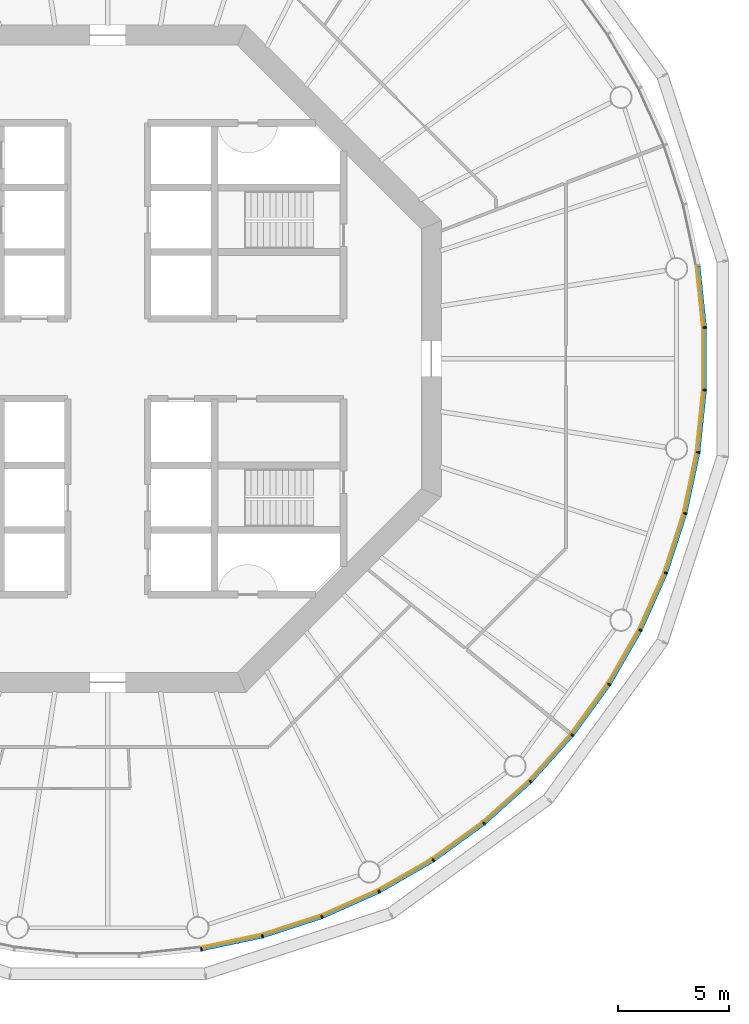
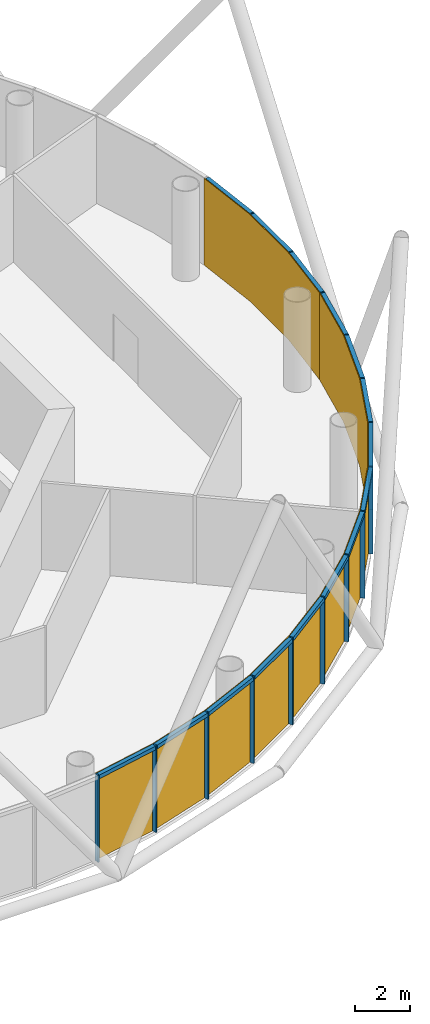
# One storey, part 8 of 12: 30 members, 5 curtain walls.
"""IFC4 building model written with IfcOpenShell, lengths in metres."""

import ifcopenshell
import ifcopenshell.guid

model = None  # the IFC model being written
_history = None  # IfcOwnerHistory: only IFC2X3 demands one
_inside = {}  # id of a spatial element -> (the spatial element, [elements in it])
_under = {}  # id of a project, library or spatial element -> (it, [spatial elements below it])
_declared = {}  # id of a project -> (the project, [libraries it declares])
_typed = {}  # id of a type object -> (the type object, [elements of that type])
_made_of = {}  # id of a material, layer set ... -> (it, [elements and type objects made of it])


def new_model(schema):
    """Start an empty IFC model of exactly this schema.

    Asked for "IFC4X3", IfcOpenShell would pick the latest addendum, in which some entities
    have other attributes; the version numbers below select the first issue.
    IFC2X3 requires an IfcOwnerHistory on every rooted entity: one is made here for all.
    """
    global model, _history
    if schema == "IFC4X3":
        model = ifcopenshell.file(schema_version=(4, 3, 0, 0))
    else:
        model = ifcopenshell.file(schema=schema)
    _inside.clear()
    _under.clear()
    _declared.clear()
    _typed.clear()
    _made_of.clear()
    _history = None
    if model.schema == "IFC2X3":
        org = make("IfcOrganization", Name="unknown")
        user = make(
            "IfcPersonAndOrganization",
            ThePerson=make("IfcPerson", FamilyName="unknown"),
            TheOrganization=org,
        )
        app = make(
            "IfcApplication",
            ApplicationDeveloper=org,
            Version="unknown",
            ApplicationFullName="unknown",
            ApplicationIdentifier="unknown",
        )
        _history = make(
            "IfcOwnerHistory",
            OwningUser=user,
            OwningApplication=app,
            ChangeAction="ADDED",
            CreationDate=0,
        )
    return model


def make(cls, **values):
    """One entity of the class cls with the attributes given. An attribute that is None is left unset."""
    return model.create_entity(
        cls, **{name: value for name, value in values.items() if value is not None}
    )


def rooted(cls, **values):
    """An entity with a GlobalId (a new one), such as an element, a storey or a relation."""
    return make(cls, GlobalId=ifcopenshell.guid.new(), OwnerHistory=_history, **values)


def si_unit(unit_type, name, prefix=None):
    """IfcSIUnit, for example si_unit("LENGTHUNIT", "METRE", prefix="MILLI")."""
    return make("IfcSIUnit", UnitType=unit_type, Prefix=prefix, Name=name)


def assignment(units):
    """IfcUnitAssignment: the units of a project."""
    return None if units is None else make("IfcUnitAssignment", Units=units)


def point(xyz):
    """IfcCartesianPoint."""
    return None if xyz is None else make("IfcCartesianPoint", Coordinates=xyz)


def direction(xyz):
    """IfcDirection."""
    return None if xyz is None else make("IfcDirection", DirectionRatios=xyz)


def frame(location, z_axis=None, x_axis=None):
    """IfcAxis2Placement3D, a coordinate frame: its origin and axes. An axis left out is left unset."""
    return make(
        "IfcAxis2Placement3D",
        Location=point(location),
        Axis=direction(z_axis),
        RefDirection=direction(x_axis),
    )


def frame_2d(location, x_axis=None):
    """IfcAxis2Placement2D, a coordinate frame in the plane: its origin and x axis."""
    return make(
        "IfcAxis2Placement2D", Location=point(location), RefDirection=direction(x_axis)
    )


def origin():
    """The frame at (0, 0, 0) with its axes left unset."""
    return frame((0.0, 0.0, 0.0))


def origin_2d():
    """The frame at (0, 0) in the plane with its x axis left unset."""
    return frame_2d((0.0, 0.0))


def place(relative_to, where):
    """IfcLocalPlacement: puts the frame where relative to a parent placement (None: the world)."""
    return make(
        "IfcLocalPlacement", PlacementRelTo=relative_to, RelativePlacement=where
    )


def context(
    kind, dimensions, precision=None, world=None, true_north=None, identifier=None
):
    """IfcGeometricRepresentationContext, for example the 3D "Model" context."""
    return make(
        "IfcGeometricRepresentationContext",
        ContextIdentifier=identifier,
        ContextType=kind,
        CoordinateSpaceDimension=dimensions,
        Precision=precision,
        WorldCoordinateSystem=world,
        TrueNorth=true_north,
    )


def subcontext(parent, identifier, kind, view, scale=None):
    """IfcGeometricRepresentationSubContext, for example "Body" below "Model"."""
    return make(
        "IfcGeometricRepresentationSubContext",
        ContextIdentifier=identifier,
        ContextType=kind,
        ParentContext=parent,
        TargetScale=scale,
        TargetView=view,
    )


def project(units=None, contexts=None):
    """IfcProject with its units and contexts."""
    return rooted(
        "IfcProject",
        Name="project",
        RepresentationContexts=contexts,
        UnitsInContext=assignment(units),
    )


def spatial(cls, under=None, at=None, **own):
    """A site, building, storey or space (cls), placed at a placement, below another one or the project."""
    s = rooted(cls, ObjectPlacement=at, **own)
    if under is not None:
        _under.setdefault(under.id(), (under, []))[1].append(s)
    return s


def polyline(points):
    """IfcPolyline through the points."""
    return make("IfcPolyline", Points=[point(p) for p in points])


def profile(cls, at=None, kind="AREA", **sizes):
    """A parametric profile (cls). Its sizes go by their IFC names, for example OverallWidth=200.0."""
    return make(cls, ProfileType=kind, Position=at, **sizes)


def rectangle(**sizes):
    """IfcRectangleProfileDef."""
    return profile("IfcRectangleProfileDef", **sizes)


def outline(outer, holes=None, kind="AREA"):
    """IfcArbitraryClosedProfileDef: a profile drawn as a closed curve; with holes, ...WithVoids."""
    if holes is None:
        return make("IfcArbitraryClosedProfileDef", ProfileType=kind, OuterCurve=outer)
    return make(
        "IfcArbitraryProfileDefWithVoids",
        ProfileType=kind,
        OuterCurve=outer,
        InnerCurves=holes,
    )


def extrude(swept, where, along, depth):
    """IfcExtrudedAreaSolid: the profile swept, set in the frame where, extruded along a direction by depth."""
    return make(
        "IfcExtrudedAreaSolid",
        SweptArea=swept,
        Position=where,
        ExtrudedDirection=direction(along),
        Depth=depth,
    )


def shape(context_of_items, identifier, shape_type, items):
    """IfcShapeRepresentation: the items that make up one representation, for example the "Body"."""
    return make(
        "IfcShapeRepresentation",
        ContextOfItems=context_of_items,
        RepresentationIdentifier=identifier,
        RepresentationType=shape_type,
        Items=items,
    )


def material(Name=None, Category=None):
    """IfcMaterial."""
    return make("IfcMaterial", Name=Name, Category=Category)


def layer(
    of_material, thickness, ventilated=None, Name=None, Category=None, Priority=None
):
    """IfcMaterialLayer: one layer of a wall or slab, of a material (None: an air gap)."""
    return make(
        "IfcMaterialLayer",
        Material=of_material,
        LayerThickness=thickness,
        IsVentilated=ventilated,
        Name=Name,
        Category=Category,
        Priority=Priority,
    )


def layer_set(layers, Name=None):
    """IfcMaterialLayerSet."""
    return make("IfcMaterialLayerSet", MaterialLayers=layers, LayerSetName=Name)


def material_profile(
    of_material, cross_section, Name=None, Category=None, Priority=None
):
    """IfcMaterialProfile: a cross section and its material."""
    return make(
        "IfcMaterialProfile",
        Name=Name,
        Material=of_material,
        Profile=cross_section,
        Priority=Priority,
        Category=Category,
    )


def profile_set(profiles, Name=None, composite=None):
    """IfcMaterialProfileSet."""
    return make(
        "IfcMaterialProfileSet",
        Name=Name,
        MaterialProfiles=profiles,
        CompositeProfile=composite,
    )


def made_of(thing, what):
    """Note that an element or type object is made of a material, layer set ...; save() writes the relation."""
    if what is not None:
        _made_of.setdefault(what.id(), (what, []))[1].append(thing)
    return thing


def type_object(cls, material=None, **own):
    """A type object (cls), such as IfcWallType, which elements share."""
    return made_of(rooted(cls, **own), material)


def element(
    cls,
    number,
    at=None,
    inside=None,
    cuts=None,
    type_object=None,
    material=None,
    context=None,
    identifier="Body",
    shape_type=None,
    held_by="IfcProductDefinitionShape",
    body=None,
    shapes=None,
    **own,
):
    """One element of the class cls, such as IfcWall. Its Tag is "e" and its number.

    at: its placement. inside: the storey or other place that contains it. cuts: it is an
    opening in that element (IfcRelVoidsElement). A single representation is given by context,
    identifier, shape_type and body (its items); several are given by shapes. held_by: the class
    of the entity that holds the representations. save() writes the other relations.
    """
    e = rooted(cls, Tag="e%d" % number, ObjectPlacement=at, **own)
    if body is not None:
        shapes = [shape(context, identifier, shape_type, body)]
    if shapes is not None:
        e.Representation = make(held_by, Representations=shapes)
    if inside is not None:
        _inside.setdefault(inside.id(), (inside, []))[1].append(e)
    if cuts is not None:
        rooted(
            "IfcRelVoidsElement", RelatingBuildingElement=cuts, RelatedOpeningElement=e
        )
    if type_object is not None:
        _typed.setdefault(type_object.id(), (type_object, []))[1].append(e)
    return made_of(e, material)


def aggregate(whole, parts):
    """IfcRelAggregates: a whole, such as a stair, and the parts it consists of."""
    return rooted("IfcRelAggregates", RelatingObject=whole, RelatedObjects=parts)


def save(model, path):
    """Write the relations noted so far, then the file.

    IfcRelAggregates (storeys below a building ...), IfcRelContainedInSpatialStructure (elements
    in a storey), IfcRelDefinesByType, IfcRelAssociatesMaterial and IfcRelDeclares: one each for
    every whole, place, type object, material and project.
    """
    for whole, parts in _under.values():
        aggregate(whole, parts)
    for where, things in _inside.values():
        rooted(
            "IfcRelContainedInSpatialStructure",
            RelatedElements=things,
            RelatingStructure=where,
        )
    for kind, things in _typed.values():
        rooted("IfcRelDefinesByType", RelatedObjects=things, RelatingType=kind)
    for what, things in _made_of.values():
        rooted("IfcRelAssociatesMaterial", RelatedObjects=things, RelatingMaterial=what)
    for by, libraries in _declared.values():
        rooted("IfcRelDeclares", RelatingContext=by, RelatedDefinitions=libraries)
    model.write(path)


model = new_model("IFC4")

# Units and contexts
model_context = context("Model", 3, precision=1e-05, world=origin(), true_north=direction((0.0, 1.0)))
body_context = subcontext(model_context, "Body", "Model", "MODEL_VIEW")
ifc_project = project(units=[si_unit("LENGTHUNIT", "METRE"), si_unit("AREAUNIT", "SQUARE_METRE"), si_unit("VOLUMEUNIT", "CUBIC_METRE"), si_unit("PLANEANGLEUNIT", "RADIAN"), si_unit("MASSUNIT", "GRAM", prefix="KILO")], contexts=[model_context])

# Member
ifc_material_1 = material(Name="Anodised aluminium", Category="aluminium")
ifc_material_profile_1 = material_profile(ifc_material_1, rectangle(XDim=0.06005859375, YDim=0.169921875, at=origin_2d()), Name="Mullion 60 x 170 mm anodised aluminium")
ifc_profile_set_1 = profile_set([ifc_material_profile_1], Name="Anodised aluminium")
member_type_1 = type_object("IfcMemberType", Name="Mullion 60 x 170 mm anodised aluminium", PredefinedType="MULLION", material=ifc_profile_set_1)
site_placement = place(None, origin())
building_placement = place(site_placement, origin())
storey_placement = place(building_placement, frame((0.0, 0.0, 238.0)))
member_1_placement = place(storey_placement, frame((94.205810546875, 53.446044921875, 0.0), z_axis=(0.0, 0.0, 1.0), x_axis=(0.987688340595, 0.15643446504, 0.0)))
member_1 = element("IfcMember", 1, at=member_1_placement, type_object=member_type_1, Name="MULLION L54-45", PredefinedType="MULLION", context=body_context, shape_type="SweptSolid", body=[
    extrude(rectangle(XDim=0.06005859375, YDim=0.169921875, at=origin_2d()), origin(), (0.0, 0.0, 1.0), 3.85009765625),
])

member_2_placement = place(storey_placement, frame((96.958251953125, 54.031005859375, 0.0), z_axis=(0.0, 0.0, 1.0), x_axis=(0.965925826289, 0.258819045103, 0.0)))
member_2 = element("IfcMember", 2, at=member_2_placement, type_object=member_type_1, Name="MULLION L54-46", PredefinedType="MULLION", context=body_context, shape_type="SweptSolid", body=[
    extrude(rectangle(XDim=0.06005859375, YDim=0.169921875, at=origin_2d()), origin(), (0.0, 0.0, 1.0), 3.85009765625),
])

member_3_placement = place(storey_placement, frame((99.634765625, 54.900634765625, 0.0), z_axis=(0.0, 0.0, 1.0), x_axis=(0.933580426497, 0.358367949545, 0.0)))
member_3 = element("IfcMember", 3, at=member_3_placement, type_object=member_type_1, Name="MULLION L54-47", PredefinedType="MULLION", context=body_context, shape_type="SweptSolid", body=[
    extrude(rectangle(XDim=0.06005859375, YDim=0.169921875, at=origin_2d()), origin(), (0.0, 0.0, 1.0), 3.85009765625),
])

member_4_placement = place(storey_placement, frame((102.20556640625, 56.04541015625, 0.0), z_axis=(0.0, 0.0, 1.0), x_axis=(0.891006524188, 0.45399049974, 0.0)))
member_4 = element("IfcMember", 4, at=member_4_placement, type_object=member_type_1, Name="MULLION L54-48", PredefinedType="MULLION", context=body_context, shape_type="SweptSolid", body=[
    extrude(rectangle(XDim=0.06005859375, YDim=0.169921875, at=origin_2d()), origin(), (0.0, 0.0, 1.0), 3.85009765625),
])

member_5_placement = place(storey_placement, frame((104.642578125, 57.452392578125, 0.0), z_axis=(0.0, 0.0, 1.0), x_axis=(0.838670567945, 0.544639035015, 0.0)))
member_5 = element("IfcMember", 5, at=member_5_placement, type_object=member_type_1, Name="MULLION L54-49", PredefinedType="MULLION", context=body_context, shape_type="SweptSolid", body=[
    extrude(rectangle(XDim=0.06005859375, YDim=0.169921875, at=origin_2d()), origin(), (0.0, 0.0, 1.0), 3.85009765625),
])

member_6_placement = place(storey_placement, frame((106.919189453125, 59.1064453125, 0.0), z_axis=(0.0, 0.0, 1.0), x_axis=(0.777145961457, 0.62932039105, 0.0)))
member_6 = element("IfcMember", 6, at=member_6_placement, type_object=member_type_1, Name="MULLION L54-50", PredefinedType="MULLION", context=body_context, shape_type="SweptSolid", body=[
    extrude(rectangle(XDim=0.06005859375, YDim=0.169921875, at=origin_2d()), origin(), (0.0, 0.0, 1.0), 3.85009765625),
])

member_7_placement = place(storey_placement, frame((109.010498046875, 60.989501953125, 0.0), z_axis=(0.0, 0.0, 1.0), x_axis=(0.707106781187, 0.707106781187, 0.0)))
member_7 = element("IfcMember", 7, at=member_7_placement, type_object=member_type_1, Name="MULLION L54-51", PredefinedType="MULLION", context=body_context, shape_type="SweptSolid", body=[
    extrude(rectangle(XDim=0.06005859375, YDim=0.169921875, at=origin_2d()), origin(), (0.0, 0.0, 1.0), 3.85009765625),
])

member_8_placement = place(storey_placement, frame((110.8935546875, 63.080810546875, 0.0), z_axis=(0.0, 0.0, 1.0), x_axis=(0.62932039105, 0.777145961457, 0.0)))
member_8 = element("IfcMember", 8, at=member_8_placement, type_object=member_type_1, Name="MULLION L54-52", PredefinedType="MULLION", context=body_context, shape_type="SweptSolid", body=[
    extrude(rectangle(XDim=0.06005859375, YDim=0.169921875, at=origin_2d()), origin(), (0.0, 0.0, 1.0), 3.85009765625),
])

member_9_placement = place(storey_placement, frame((112.547607421875, 65.357421875, 0.0), z_axis=(0.0, 0.0, 1.0), x_axis=(0.544639035015, 0.838670567945, 0.0)))
member_9 = element("IfcMember", 9, at=member_9_placement, type_object=member_type_1, Name="MULLION L54-53", PredefinedType="MULLION", context=body_context, shape_type="SweptSolid", body=[
    extrude(rectangle(XDim=0.06005859375, YDim=0.169921875, at=origin_2d()), origin(), (0.0, 0.0, 1.0), 3.85009765625),
])

member_10_placement = place(storey_placement, frame((113.95458984375, 67.79443359375, 0.0), z_axis=(0.0, 0.0, 1.0), x_axis=(0.45399049974, 0.891006524188, 0.0)))
member_10 = element("IfcMember", 10, at=member_10_placement, type_object=member_type_1, Name="MULLION L54-54", PredefinedType="MULLION", context=body_context, shape_type="SweptSolid", body=[
    extrude(rectangle(XDim=0.06005859375, YDim=0.169921875, at=origin_2d()), origin(), (0.0, 0.0, 1.0), 3.85009765625),
])

member_11_placement = place(storey_placement, frame((115.099365234375, 70.365234375, 0.0), z_axis=(0.0, 0.0, 1.0), x_axis=(0.358367949545, 0.933580426497, 0.0)))
member_11 = element("IfcMember", 11, at=member_11_placement, type_object=member_type_1, Name="MULLION L54-55", PredefinedType="MULLION", context=body_context, shape_type="SweptSolid", body=[
    extrude(rectangle(XDim=0.06005859375, YDim=0.169921875, at=origin_2d()), origin(), (0.0, 0.0, 1.0), 3.85009765625),
])

member_12_placement = place(storey_placement, frame((115.968994140625, 73.041748046875, 0.0), z_axis=(0.0, 0.0, 1.0), x_axis=(0.258819045103, 0.965925826289, 0.0)))
member_12 = element("IfcMember", 12, at=member_12_placement, type_object=member_type_1, Name="MULLION L54-56", PredefinedType="MULLION", context=body_context, shape_type="SweptSolid", body=[
    extrude(rectangle(XDim=0.06005859375, YDim=0.169921875, at=origin_2d()), origin(), (0.0, 0.0, 1.0), 3.85009765625),
])

member_13_placement = place(storey_placement, frame((116.553955078125, 75.794189453125, 0.0), z_axis=(0.0, 0.0, 1.0), x_axis=(0.15643446504, 0.987688340595, 0.0)))
member_13 = element("IfcMember", 13, at=member_13_placement, type_object=member_type_1, Name="MULLION L54-57", PredefinedType="MULLION", context=body_context, shape_type="SweptSolid", body=[
    extrude(rectangle(XDim=0.06005859375, YDim=0.169921875, at=origin_2d()), origin(), (0.0, 0.0, 1.0), 3.85009765625),
])

member_14_placement = place(storey_placement, frame((116.84814453125, 78.593017578125, 0.0), z_axis=(0.0, 0.0, 1.0), x_axis=(0.052335956243, 0.998629534755, 0.0)))
member_14 = element("IfcMember", 14, at=member_14_placement, type_object=member_type_1, Name="MULLION L54-58", PredefinedType="MULLION", context=body_context, shape_type="SweptSolid", body=[
    extrude(rectangle(XDim=0.06005859375, YDim=0.169921875, at=origin_2d()), origin(), (0.0, 0.0, 1.0), 3.85009765625),
])

member_15_placement = place(storey_placement, frame((116.84814453125, 81.406982421875, 0.0), z_axis=(0.0, 0.0, 1.0), x_axis=(-0.052335956243, 0.998629534755, 0.0)))
member_15 = element("IfcMember", 15, at=member_15_placement, type_object=member_type_1, Name="MULLION L54-59", PredefinedType="MULLION", context=body_context, shape_type="SweptSolid", body=[
    extrude(rectangle(XDim=0.06005859375, YDim=0.169921875, at=origin_2d()), origin(), (0.0, 0.0, 1.0), 3.85009765625),
])

ifc_material_2 = material(Name="Anodised aluminium", Category="aluminium")
ifc_material_profile_2 = material_profile(ifc_material_2, rectangle(XDim=0.169921875, YDim=0.1650390625, at=origin_2d()), Name="Transom 165 x 170 mm anodised aluminium")
ifc_profile_set_2 = profile_set([ifc_material_profile_2], Name="Anodised aluminium")
member_type_2 = type_object("IfcMemberType", Name="Transom 165 x 170 mm anodised aluminium", PredefinedType="USERDEFINED", material=ifc_profile_set_2)
member_16_placement = place(storey_placement, frame((94.239501953125, 53.453125, 3.767578125), z_axis=(0.97814212115, 0.207937468562, 0.0), x_axis=(-0.207937468562, 0.97814212115, 0.0)))
member_16 = element("IfcMember", 16, at=member_16_placement, type_object=member_type_2, Name="TRANSOM L54-45", ObjectType="TRANSOM", PredefinedType="USERDEFINED", context=body_context, shape_type="SweptSolid", body=[
    extrude(rectangle(XDim=0.169921875, YDim=0.1650390625, at=origin_2d()), origin(), (0.0, 0.0, 1.0), 2.7451171875),
])

member_17_placement = place(storey_placement, frame((96.9912109375, 54.04150390625, 3.767578125), z_axis=(0.951048445774, 0.309041831781, 0.0), x_axis=(-0.309041831781, 0.951048445774, 0.0)))
member_17 = element("IfcMember", 17, at=member_17_placement, type_object=member_type_2, Name="TRANSOM L54-46", ObjectType="TRANSOM", PredefinedType="USERDEFINED", context=body_context, shape_type="SweptSolid", body=[
    extrude(rectangle(XDim=0.169921875, YDim=0.1650390625, at=origin_2d()), origin(), (0.0, 0.0, 1.0), 2.7451171875),
])

member_18_placement = place(storey_placement, frame((99.666259765625, 54.91455078125, 3.767578125), z_axis=(0.913525267704, 0.406781987391, 0.0), x_axis=(-0.406781987391, 0.913525267704, 0.0)))
member_18 = element("IfcMember", 18, at=member_18_placement, type_object=member_type_2, Name="TRANSOM L54-47", ObjectType="TRANSOM", PredefinedType="USERDEFINED", context=body_context, shape_type="SweptSolid", body=[
    extrude(rectangle(XDim=0.169921875, YDim=0.1650390625, at=origin_2d()), origin(), (0.0, 0.0, 1.0), 2.7451171875),
])

member_19_placement = place(storey_placement, frame((102.2353515625, 56.0625, 3.767578125), z_axis=(0.866034527326, 0.49998419723, 0.0), x_axis=(-0.49998419723, 0.866034527326, 0.0)))
member_19 = element("IfcMember", 19, at=member_19_placement, type_object=member_type_2, Name="TRANSOM L54-48", ObjectType="TRANSOM", PredefinedType="USERDEFINED", context=body_context, shape_type="SweptSolid", body=[
    extrude(rectangle(XDim=0.169921875, YDim=0.1650390625, at=origin_2d()), origin(), (0.0, 0.0, 1.0), 2.7451171875),
])

member_20_placement = place(storey_placement, frame((104.670654296875, 57.472412109375, 3.767578125), z_axis=(0.808959086484, 0.587864947412, 0.0), x_axis=(-0.587864947412, 0.808959086484, 0.0)))
member_20 = element("IfcMember", 20, at=member_20_placement, type_object=member_type_2, Name="TRANSOM L54-49", ObjectType="TRANSOM", PredefinedType="USERDEFINED", context=body_context, shape_type="SweptSolid", body=[
    extrude(rectangle(XDim=0.169921875, YDim=0.1650390625, at=origin_2d()), origin(), (0.0, 0.0, 1.0), 2.7451171875),
])

member_21_placement = place(storey_placement, frame((106.945068359375, 59.12939453125, 3.767578125), z_axis=(0.743134927907, 0.669141598561, 0.0), x_axis=(-0.669141598561, 0.743134927907, 0.0)))
member_21 = element("IfcMember", 21, at=member_21_placement, type_object=member_type_2, Name="TRANSOM L54-50", ObjectType="TRANSOM", PredefinedType="USERDEFINED", context=body_context, shape_type="SweptSolid", body=[
    extrude(rectangle(XDim=0.169921875, YDim=0.1650390625, at=origin_2d()), origin(), (0.0, 0.0, 1.0), 2.7451171875),
])

member_22_placement = place(storey_placement, frame((109.03369140625, 61.014892578125, 3.767578125), z_axis=(0.669141598561, 0.743134927907, 0.0), x_axis=(-0.743134927907, 0.669141598561, 0.0)))
member_22 = element("IfcMember", 22, at=member_22_placement, type_object=member_type_2, Name="TRANSOM L54-51", ObjectType="TRANSOM", PredefinedType="USERDEFINED", context=body_context, shape_type="SweptSolid", body=[
    extrude(rectangle(XDim=0.169921875, YDim=0.1650390625, at=origin_2d()), origin(), (0.0, 0.0, 1.0), 2.7451171875),
])

member_23_placement = place(storey_placement, frame((110.913818359375, 63.108642578125, 3.767578125), z_axis=(0.587864947412, 0.808959086484, 0.0), x_axis=(-0.808959086484, 0.587864947412, 0.0)))
member_23 = element("IfcMember", 23, at=member_23_placement, type_object=member_type_2, Name="TRANSOM L54-52", ObjectType="TRANSOM", PredefinedType="USERDEFINED", context=body_context, shape_type="SweptSolid", body=[
    extrude(rectangle(XDim=0.169921875, YDim=0.1650390625, at=origin_2d()), origin(), (0.0, 0.0, 1.0), 2.7451171875),
])

member_24_placement = place(storey_placement, frame((112.56494140625, 65.38720703125, 3.767578125), z_axis=(0.49998419723, 0.866034527326, 0.0), x_axis=(-0.866034527326, 0.49998419723, 0.0)))
member_24 = element("IfcMember", 24, at=member_24_placement, type_object=member_type_2, Name="TRANSOM L54-53", ObjectType="TRANSOM", PredefinedType="USERDEFINED", context=body_context, shape_type="SweptSolid", body=[
    extrude(rectangle(XDim=0.169921875, YDim=0.1650390625, at=origin_2d()), origin(), (0.0, 0.0, 1.0), 2.7451171875),
])

member_25_placement = place(storey_placement, frame((113.96875, 67.825927734375, 3.767578125), z_axis=(0.406781987391, 0.913525267704, 0.0), x_axis=(-0.913525267704, 0.406781987391, 0.0)))
member_25 = element("IfcMember", 25, at=member_25_placement, type_object=member_type_2, Name="TRANSOM L54-54", ObjectType="TRANSOM", PredefinedType="USERDEFINED", context=body_context, shape_type="SweptSolid", body=[
    extrude(rectangle(XDim=0.169921875, YDim=0.1650390625, at=origin_2d()), origin(), (0.0, 0.0, 1.0), 2.7451171875),
])

member_26_placement = place(storey_placement, frame((115.110107421875, 70.39794921875, 3.767578125), z_axis=(0.309041831781, 0.951048445774, 0.0), x_axis=(-0.951048445774, 0.309041831781, 0.0)))
member_26 = element("IfcMember", 26, at=member_26_placement, type_object=member_type_2, Name="TRANSOM L54-55", ObjectType="TRANSOM", PredefinedType="USERDEFINED", context=body_context, shape_type="SweptSolid", body=[
    extrude(rectangle(XDim=0.169921875, YDim=0.1650390625, at=origin_2d()), origin(), (0.0, 0.0, 1.0), 2.7451171875),
])

member_27_placement = place(storey_placement, frame((115.97607421875, 73.075439453125, 3.767578125), z_axis=(0.207937468562, 0.97814212115, 0.0), x_axis=(-0.97814212115, 0.207937468562, 0.0)))
member_27 = element("IfcMember", 27, at=member_27_placement, type_object=member_type_2, Name="TRANSOM L54-56", ObjectType="TRANSOM", PredefinedType="USERDEFINED", context=body_context, shape_type="SweptSolid", body=[
    extrude(rectangle(XDim=0.169921875, YDim=0.1650390625, at=origin_2d()), origin(), (0.0, 0.0, 1.0), 2.7451171875),
])

member_28_placement = place(storey_placement, frame((116.5576171875, 75.82861328125, 3.767578125), z_axis=(0.104592190102, 0.994515195344, 0.0), x_axis=(-0.994515195344, 0.104592190102, 0.0)))
member_28 = element("IfcMember", 28, at=member_28_placement, type_object=member_type_2, Name="TRANSOM L54-57", ObjectType="TRANSOM", PredefinedType="USERDEFINED", context=body_context, shape_type="SweptSolid", body=[
    extrude(rectangle(XDim=0.169921875, YDim=0.1650390625, at=origin_2d()), origin(), (0.0, 0.0, 1.0), 2.7451171875),
])

member_29_placement = place(storey_placement, frame((116.848388671875, 78.62744140625, 3.767578125), z_axis=(0.0, 1.0, 0.0), x_axis=(-1.0, 0.0, 0.0)))
member_29 = element("IfcMember", 29, at=member_29_placement, type_object=member_type_2, Name="TRANSOM L54-58", ObjectType="TRANSOM", PredefinedType="USERDEFINED", context=body_context, shape_type="SweptSolid", body=[
    extrude(rectangle(XDim=0.169921875, YDim=0.1650390625, at=origin_2d()), origin(), (0.0, 0.0, 1.0), 2.7451171875),
])

member_30_placement = place(storey_placement, frame((116.8447265625, 81.44140625, 3.767578125), z_axis=(-0.104592190102, 0.994515195344, 0.0), x_axis=(-0.994515195344, -0.104592190102, 0.0)))
member_30 = element("IfcMember", 30, at=member_30_placement, type_object=member_type_2, Name="TRANSOM L54-59", ObjectType="TRANSOM", PredefinedType="USERDEFINED", context=body_context, shape_type="SweptSolid", body=[
    extrude(rectangle(XDim=0.169921875, YDim=0.1650390625, at=origin_2d()), origin(), (0.0, 0.0, 1.0), 2.7451171875),
])

# Site, building, storey
site = spatial("IfcSite", under=ifc_project, at=site_placement, CompositionType="ELEMENT")
building = spatial("IfcBuilding", under=site, at=building_placement, Name="Entoto Ring Tower", CompositionType="ELEMENT")
storey = spatial("IfcBuildingStorey", under=building, at=storey_placement, Name="L54", CompositionType="ELEMENT", Elevation=238.0)

# Curtain wall
ifc_material_3 = material(Name="Clear low-iron glass", Category="glass")
ifc_layer = layer(ifc_material_3, 0.031982421875)
ifc_layer_set = layer_set([ifc_layer], Name="Clear low-iron glass")
curtain_wall_type = type_object("IfcCurtainWallType", Name="Curtain wall system CW4 glazing 32 mm", PredefinedType="NOTDEFINED", material=ifc_layer_set)
curtain_wall_1_placement = place(storey_placement, origin())
curtain_wall_1 = element("IfcCurtainWall", 31, at=curtain_wall_1_placement, inside=storey, type_object=curtain_wall_type, Name="CW4 L54-16", PredefinedType="NOTDEFINED", context=body_context, shape_type="SweptSolid", body=[
    extrude(outline(polyline([(94.1923828125, 53.530029296875), (96.936279296875, 54.11328125), (99.604248046875, 54.97998046875), (102.1669921875, 56.12109375), (102.15234375, 56.149658203125), (99.5927734375, 55.010009765625), (96.927978515625, 54.14404296875), (94.1875, 53.5615234375), (94.1923828125, 53.530029296875)])), origin(), (0.0, 0.0, 1.0), 3.85009765625),
])

aggregate(curtain_wall_1, [member_1, member_2, member_3, member_16, member_17, member_18])

curtain_wall_2_placement = place(storey_placement, origin())
curtain_wall_2 = element("IfcCurtainWall", 32, at=curtain_wall_2_placement, inside=storey, type_object=curtain_wall_type, Name="CW4 L54-17", PredefinedType="NOTDEFINED", context=body_context, shape_type="SweptSolid", body=[
    extrude(outline(polyline([(102.1669921875, 56.12109375), (104.596435546875, 57.523681640625), (106.86572265625, 59.172607421875), (108.950439453125, 61.049560546875), (108.927734375, 61.072265625), (106.845703125, 59.197509765625), (104.578857421875, 57.550537109375), (102.15234375, 56.149658203125), (102.1669921875, 56.12109375)])), origin(), (0.0, 0.0, 1.0), 3.85009765625),
])

aggregate(curtain_wall_2, [member_4, member_5, member_6, member_19, member_20, member_21])

curtain_wall_3_placement = place(storey_placement, origin())
curtain_wall_3 = element("IfcCurtainWall", 33, at=curtain_wall_3_placement, inside=storey, type_object=curtain_wall_type, Name="CW4 L54-18", PredefinedType="NOTDEFINED", context=body_context, shape_type="SweptSolid", body=[
    extrude(outline(polyline([(108.950439453125, 61.049560546875), (110.827392578125, 63.13427734375), (112.476318359375, 65.403564453125), (113.87890625, 67.8330078125), (113.850341796875, 67.84765625), (112.449462890625, 65.421142578125), (110.802490234375, 63.154296875), (108.927734375, 61.072265625), (108.950439453125, 61.049560546875)])), origin(), (0.0, 0.0, 1.0), 3.85009765625),
])

aggregate(curtain_wall_3, [member_7, member_8, member_9, member_22, member_23, member_24])

curtain_wall_4_placement = place(storey_placement, origin())
curtain_wall_4 = element("IfcCurtainWall", 34, at=curtain_wall_4_placement, inside=storey, type_object=curtain_wall_type, Name="CW4 L54-19", PredefinedType="NOTDEFINED", context=body_context, shape_type="SweptSolid", body=[
    extrude(outline(polyline([(113.87890625, 67.8330078125), (115.02001953125, 70.395751953125), (115.88671875, 73.063720703125), (116.469970703125, 75.8076171875), (116.4384765625, 75.8125), (115.85595703125, 73.072021484375), (114.989990234375, 70.4072265625), (113.850341796875, 67.84765625), (113.87890625, 67.8330078125)])), origin(), (0.0, 0.0, 1.0), 3.85009765625),
])

aggregate(curtain_wall_4, [member_10, member_11, member_12, member_25, member_26, member_27])

curtain_wall_5_placement = place(storey_placement, origin())
curtain_wall_5 = element("IfcCurtainWall", 35, at=curtain_wall_5_placement, inside=storey, type_object=curtain_wall_type, Name="CW4 L54-20", PredefinedType="NOTDEFINED", context=body_context, shape_type="SweptSolid", body=[
    extrude(outline(polyline([(116.469970703125, 75.8076171875), (116.76318359375, 78.597412109375), (116.76318359375, 81.402587890625), (116.469970703125, 84.1923828125), (116.4384765625, 84.1875), (116.731201171875, 81.40087890625), (116.731201171875, 78.59912109375), (116.4384765625, 75.8125), (116.469970703125, 75.8076171875)])), origin(), (0.0, 0.0, 1.0), 3.85009765625),
])

aggregate(curtain_wall_5, [member_13, member_14, member_15, member_28, member_29, member_30])

save(model, "model.ifc")
